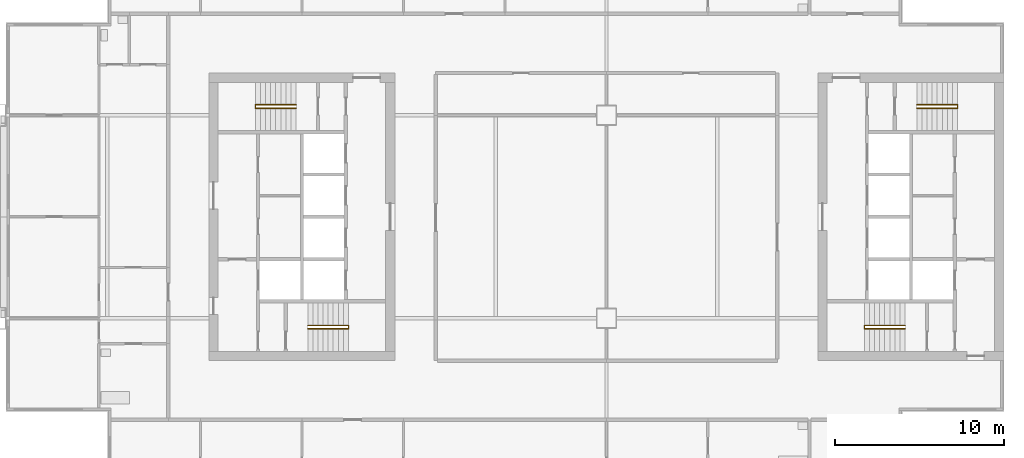
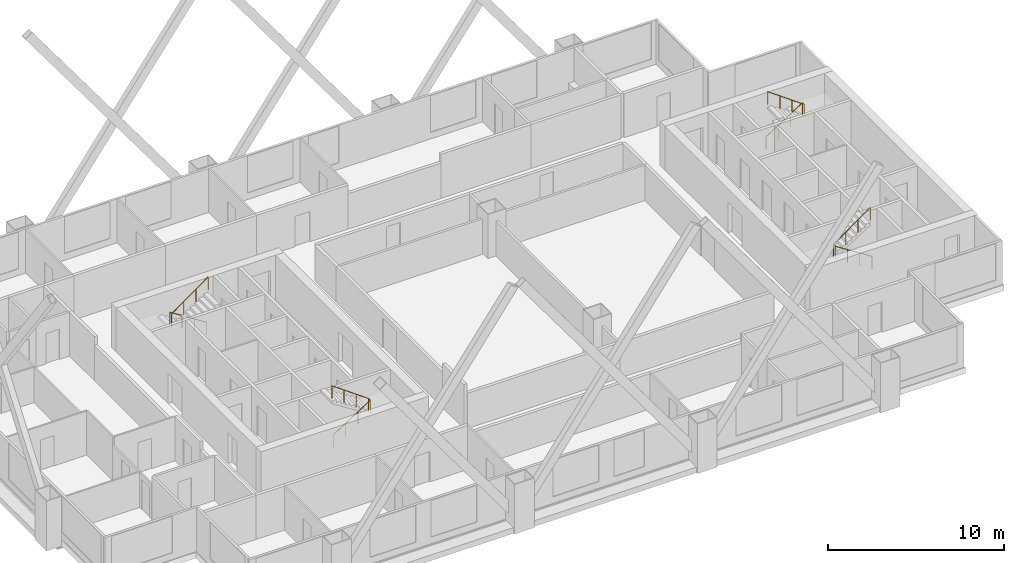
# One storey, part 7 of 8: 4 railings.
"""IFC4 building model written with IfcOpenShell, lengths in metres."""

from ifc_helpers import new_model, si_unit, direction, frame, origin, origin_2d, place, context, subcontext, project, spatial, circle, extrude, material, type_object, element, save


model = new_model("IFC4")

# Units and contexts
model_context = context("Model", 3, precision=1e-05, world=origin(), true_north=direction((0.0, 1.0)))
body_context = subcontext(model_context, "Body", "Model", "MODEL_VIEW")
ifc_project = project(units=[si_unit("LENGTHUNIT", "METRE"), si_unit("AREAUNIT", "SQUARE_METRE"), si_unit("VOLUMEUNIT", "CUBIC_METRE"), si_unit("PLANEANGLEUNIT", "RADIAN"), si_unit("MASSUNIT", "GRAM", prefix="KILO")], contexts=[model_context])

# Site, building, storey
site_placement = place(None, origin())
site = spatial("IfcSite", under=ifc_project, at=site_placement, CompositionType="ELEMENT")
building_placement = place(site_placement, origin())
building = spatial("IfcBuilding", under=site, at=building_placement, Name="Kitamizu Gate Tower and Museum", CompositionType="ELEMENT")
storey_placement = place(building_placement, frame((0.0, 0.0, 175.5)))
storey = spatial("IfcBuildingStorey", under=building, at=storey_placement, Name="L46", CompositionType="ELEMENT", Elevation=175.5)

# Railings
ifc_material = material(Name="Stainless steel SUS304", Category="steel")
railing_type = type_object("IfcRailingType", Name="Stair handrail 900", PredefinedType="HANDRAIL", material=ifc_material)
railing_1_placement = place(storey_placement, frame((18.35009765625, 23.375, 0.191650390625)))
element("IfcRailing", 1, at=railing_1_placement, inside=storey, type_object=railing_type, Name="Stair handrail ST1", PredefinedType="HANDRAIL", context=body_context, shape_type="SweptSolid", body=[
    extrude(circle(Radius=0.02392578125, at=origin_2d()), frame((0.0, 0.0, 0.8759765625), z_axis=(0.842668169335, 0.0, 0.538433242278), x_axis=(0.0, 1.0, 0.0)), (0.0, 0.0, 1.0), 2.847900390625),
    extrude(circle(Radius=0.02392578125, at=origin_2d()), frame((2.39990234375, 0.0, 2.4091796875), z_axis=(0.0, 1.0, 0.0), x_axis=(-1.0, 0.0, 0.0)), (0.0, 0.0, 1.0), 0.199951171875),
    extrude(circle(Radius=0.02392578125, at=origin_2d()), frame((2.39990234375, 0.199951171875, 2.4091796875), z_axis=(-0.81202760531, 0.0, 0.583619026604), x_axis=(0.0, -1.0, 0.0)), (0.0, 0.0, 1.0), 2.955322265625),
    extrude(circle(Radius=0.02099609375, at=origin_2d()), origin(), (0.0, 0.0, 1.0), 0.851806640625),
    extrude(circle(Radius=0.02099609375, at=origin_2d()), frame((0.800048828125, 0.0, 0.51123046875)), (0.0, 0.0, 1.0), 0.851806640625),
    extrude(circle(Radius=0.02099609375, at=origin_2d()), frame((1.599853515625, 0.0, 1.022216796875)), (0.0, 0.0, 1.0), 0.851806640625),
    extrude(circle(Radius=0.02099609375, at=origin_2d()), frame((2.39990234375, 0.0, 1.533447265625)), (0.0, 0.0, 1.0), 0.851806640625),
    extrude(circle(Radius=0.02099609375, at=origin_2d()), frame((2.39990234375, 0.199951171875, 1.533447265625)), (0.0, 0.0, 1.0), 0.851806640625),
    extrude(circle(Radius=0.02099609375, at=origin_2d()), frame((1.599853515625, 0.199951171875, 2.1083984375)), (0.0, 0.0, 1.0), 0.851806640625),
    extrude(circle(Radius=0.02099609375, at=origin_2d()), frame((0.800048828125, 0.199951171875, 2.683349609375)), (0.0, 0.0, 1.0), 0.851806640625),
    extrude(circle(Radius=0.02099609375, at=origin_2d()), frame((0.0, 0.199951171875, 3.25830078125)), (0.0, 0.0, 1.0), 0.851806640625),
])
railing_2_placement = place(storey_placement, frame((17.64990234375, 36.625, 0.191650390625)))
element("IfcRailing", 2, at=railing_2_placement, inside=storey, type_object=railing_type, Name="Stair handrail ST2", PredefinedType="HANDRAIL", context=body_context, shape_type="SweptSolid", body=[
    extrude(circle(Radius=0.02392578125, at=origin_2d()), frame((0.0, 0.0, 0.8759765625), z_axis=(-0.842668169335, 0.0, 0.538433242278), x_axis=(0.0, -1.0, 0.0)), (0.0, 0.0, 1.0), 2.847900390625),
    extrude(circle(Radius=0.02392578125, at=origin_2d()), frame((-2.39990234375, 0.0, 2.4091796875), z_axis=(0.0, -1.0, 0.0), x_axis=(1.0, 0.0, 0.0)), (0.0, 0.0, 1.0), 0.199951171875),
    extrude(circle(Radius=0.02392578125, at=origin_2d()), frame((-2.39990234375, -0.199951171875, 2.4091796875), z_axis=(0.81202760531, 0.0, 0.583619026604), x_axis=(0.0, 1.0, 0.0)), (0.0, 0.0, 1.0), 2.955322265625),
    extrude(circle(Radius=0.02099609375, at=origin_2d()), origin(), (0.0, 0.0, 1.0), 0.851806640625),
    extrude(circle(Radius=0.02099609375, at=origin_2d()), frame((-0.800048828125, 0.0, 0.51123046875)), (0.0, 0.0, 1.0), 0.851806640625),
    extrude(circle(Radius=0.02099609375, at=origin_2d()), frame((-1.599853515625, 0.0, 1.022216796875)), (0.0, 0.0, 1.0), 0.851806640625),
    extrude(circle(Radius=0.02099609375, at=origin_2d()), frame((-2.39990234375, 0.0, 1.533447265625)), (0.0, 0.0, 1.0), 0.851806640625),
    extrude(circle(Radius=0.02099609375, at=origin_2d()), frame((-2.39990234375, -0.199951171875, 1.533447265625)), (0.0, 0.0, 1.0), 0.851806640625),
    extrude(circle(Radius=0.02099609375, at=origin_2d()), frame((-1.599853515625, -0.199951171875, 2.1083984375)), (0.0, 0.0, 1.0), 0.851806640625),
    extrude(circle(Radius=0.02099609375, at=origin_2d()), frame((-0.800048828125, -0.199951171875, 2.683349609375)), (0.0, 0.0, 1.0), 0.851806640625),
    extrude(circle(Radius=0.02099609375, at=origin_2d()), frame((0.0, -0.199951171875, 3.25830078125)), (0.0, 0.0, 1.0), 0.851806640625),
])
railing_3_placement = place(storey_placement, frame((53.64990234375, 23.375, 0.191650390625)))
element("IfcRailing", 3, at=railing_3_placement, inside=storey, type_object=railing_type, Name="Stair handrail ST3", PredefinedType="HANDRAIL", context=body_context, shape_type="SweptSolid", body=[
    extrude(circle(Radius=0.02392578125, at=origin_2d()), frame((0.0, 0.0, 0.8759765625), z_axis=(-0.842668169335, 0.0, 0.538433242278), x_axis=(0.0, -1.0, 0.0)), (0.0, 0.0, 1.0), 2.847900390625),
    extrude(circle(Radius=0.02392578125, at=origin_2d()), frame((-2.39990234375, 0.0, 2.4091796875), z_axis=(0.0, 1.0, 0.0), x_axis=(-1.0, 0.0, 0.0)), (0.0, 0.0, 1.0), 0.199951171875),
    extrude(circle(Radius=0.02392578125, at=origin_2d()), frame((-2.39990234375, 0.199951171875, 2.4091796875), z_axis=(0.81202760531, 0.0, 0.583619026604), x_axis=(0.0, 1.0, 0.0)), (0.0, 0.0, 1.0), 2.955322265625),
    extrude(circle(Radius=0.02099609375, at=origin_2d()), origin(), (0.0, 0.0, 1.0), 0.851806640625),
    extrude(circle(Radius=0.02099609375, at=origin_2d()), frame((-0.800048828125, 0.0, 0.51123046875)), (0.0, 0.0, 1.0), 0.851806640625),
    extrude(circle(Radius=0.02099609375, at=origin_2d()), frame((-1.599853515625, 0.0, 1.022216796875)), (0.0, 0.0, 1.0), 0.851806640625),
    extrude(circle(Radius=0.02099609375, at=origin_2d()), frame((-2.39990234375, 0.0, 1.533447265625)), (0.0, 0.0, 1.0), 0.851806640625),
    extrude(circle(Radius=0.02099609375, at=origin_2d()), frame((-2.39990234375, 0.199951171875, 1.533447265625)), (0.0, 0.0, 1.0), 0.851806640625),
    extrude(circle(Radius=0.02099609375, at=origin_2d()), frame((-1.599853515625, 0.199951171875, 2.1083984375)), (0.0, 0.0, 1.0), 0.851806640625),
    extrude(circle(Radius=0.02099609375, at=origin_2d()), frame((-0.800048828125, 0.199951171875, 2.683349609375)), (0.0, 0.0, 1.0), 0.851806640625),
    extrude(circle(Radius=0.02099609375, at=origin_2d()), frame((0.0, 0.199951171875, 3.25830078125)), (0.0, 0.0, 1.0), 0.851806640625),
])
railing_4_placement = place(storey_placement, frame((54.35009765625, 36.625, 0.191650390625)))
element("IfcRailing", 4, at=railing_4_placement, inside=storey, type_object=railing_type, Name="Stair handrail ST4", PredefinedType="HANDRAIL", context=body_context, shape_type="SweptSolid", body=[
    extrude(circle(Radius=0.02392578125, at=origin_2d()), frame((0.0, 0.0, 0.8759765625), z_axis=(0.842668169335, 0.0, 0.538433242278), x_axis=(0.0, 1.0, 0.0)), (0.0, 0.0, 1.0), 2.847900390625),
    extrude(circle(Radius=0.02392578125, at=origin_2d()), frame((2.39990234375, 0.0, 2.4091796875), z_axis=(0.0, -1.0, 0.0), x_axis=(1.0, 0.0, 0.0)), (0.0, 0.0, 1.0), 0.199951171875),
    extrude(circle(Radius=0.02392578125, at=origin_2d()), frame((2.39990234375, -0.199951171875, 2.4091796875), z_axis=(-0.81202760531, 0.0, 0.583619026604), x_axis=(0.0, -1.0, 0.0)), (0.0, 0.0, 1.0), 2.955322265625),
    extrude(circle(Radius=0.02099609375, at=origin_2d()), origin(), (0.0, 0.0, 1.0), 0.851806640625),
    extrude(circle(Radius=0.02099609375, at=origin_2d()), frame((0.800048828125, 0.0, 0.51123046875)), (0.0, 0.0, 1.0), 0.851806640625),
    extrude(circle(Radius=0.02099609375, at=origin_2d()), frame((1.599853515625, 0.0, 1.022216796875)), (0.0, 0.0, 1.0), 0.851806640625),
    extrude(circle(Radius=0.02099609375, at=origin_2d()), frame((2.39990234375, 0.0, 1.533447265625)), (0.0, 0.0, 1.0), 0.851806640625),
    extrude(circle(Radius=0.02099609375, at=origin_2d()), frame((2.39990234375, -0.199951171875, 1.533447265625)), (0.0, 0.0, 1.0), 0.851806640625),
    extrude(circle(Radius=0.02099609375, at=origin_2d()), frame((1.599853515625, -0.199951171875, 2.1083984375)), (0.0, 0.0, 1.0), 0.851806640625),
    extrude(circle(Radius=0.02099609375, at=origin_2d()), frame((0.800048828125, -0.199951171875, 2.683349609375)), (0.0, 0.0, 1.0), 0.851806640625),
    extrude(circle(Radius=0.02099609375, at=origin_2d()), frame((0.0, -0.199951171875, 3.25830078125)), (0.0, 0.0, 1.0), 0.851806640625),
])

save(model, "model.ifc")
